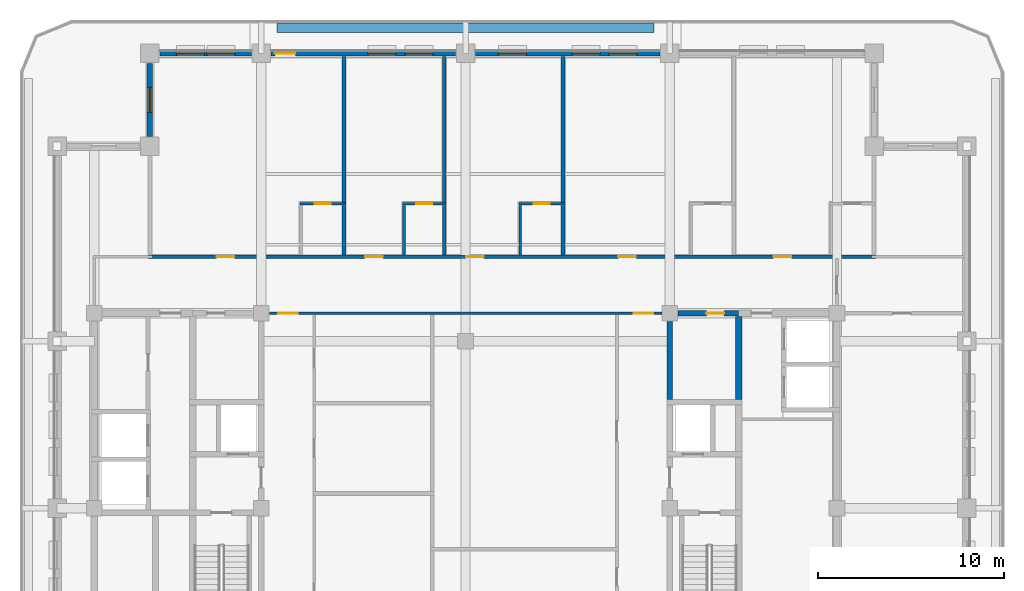
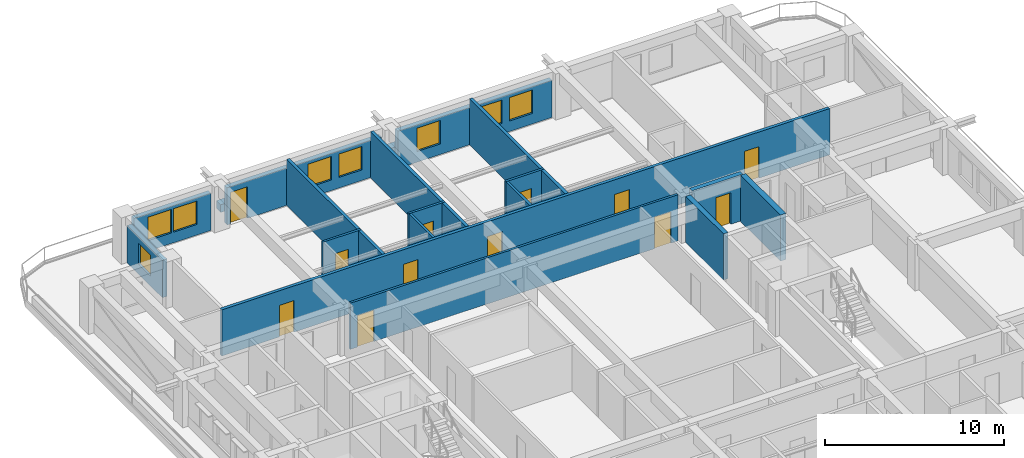
# One storey, part 6 of 14: 21 walls, 12 doors, 8 windows, 20 openings.
"""IFC4 building model written with IfcOpenShell, lengths in metres."""

from ifc_helpers import new_model, si_unit, direction, frame, frame_2d, origin, place, context, subcontext, project, spatial, rectangle, extrude, material, layer, layer_set, type_object, element, fill, save


model = new_model("IFC4")

# Units and contexts
model_context = context("Model", 3, precision=1e-05, world=origin(), true_north=direction((0.0, 1.0)))
body_context = subcontext(model_context, "Body", "Model", "MODEL_VIEW")
ifc_project = project(units=[si_unit("LENGTHUNIT", "METRE"), si_unit("AREAUNIT", "SQUARE_METRE"), si_unit("VOLUMEUNIT", "CUBIC_METRE"), si_unit("PLANEANGLEUNIT", "RADIAN"), si_unit("MASSUNIT", "GRAM", prefix="KILO")], contexts=[model_context])

# Site, building, storey
site_placement = place(None, origin())
site = spatial("IfcSite", under=ifc_project, at=site_placement, CompositionType="ELEMENT")
building_placement = place(site_placement, origin())
building = spatial("IfcBuilding", under=site, at=building_placement, Name="Zulmaris Gate Convention Tower", CompositionType="ELEMENT")
storey_placement = place(building_placement, frame((0.0, 0.0, 179.659912109375)))
storey = spatial("IfcBuildingStorey", under=building, at=storey_placement, Name="L46", CompositionType="ELEMENT", Elevation=179.659912109375)

# Wall, opening, door
ifc_material_1 = material(Name="Concrete C50/60", Category="concrete")
ifc_layer_1 = layer(ifc_material_1, 0.300048828125, Name="Concrete C50/60")
ifc_layer_set_1 = layer_set([ifc_layer_1], Name="Concrete C50/60")
wall_type_1 = type_object("IfcWallType", Name="CORE-300", PredefinedType="SHEAR", material=ifc_layer_set_1)
wall_1_placement = place(storey_placement, frame((11.428955078125, 10.5, 0.0), z_axis=(0.0, 0.0, 1.0), x_axis=(1.0, 0.0, 0.0)))
wall_1 = element("IfcWall", 1, at=wall_1_placement, inside=storey, type_object=wall_type_1, Name="WL-L46-017", PredefinedType="SHEAR", context=body_context, shape_type="SweptSolid", body=[
    extrude(rectangle(XDim=3.27099609375, YDim=0.300048828125, at=frame_2d((1.635498046875, 0.0))), origin(), (0.0, 0.0, 1.0), 3.14990234375),
])
opening_1_placement = place(wall_1_placement, frame((1.5458984375, 0.0, 0.0)))
opening_1 = element("IfcOpeningElement", 2, at=opening_1_placement, cuts=wall_1, Name="Opening D-11", PredefinedType="OPENING", context=body_context, shape_type="SweptSolid", body=[
    extrude(rectangle(XDim=0.949951171875, YDim=2.14990234375, at=frame_2d((0.47509765625, 1.074951171875))), frame((0.0, 0.16015625, 0.0), z_axis=(0.0, -1.0, 0.0), x_axis=(1.0, 0.0, 0.0)), (0.0, 0.0, 1.0), 0.320068359375),
])
ifc_material_2 = material(Name="Fire-Rated Timber", Category="wood")
door_type_1 = type_object("IfcDoorType", Name="DR-950-FD", OperationType="NOTDEFINED", PredefinedType="DOOR", material=ifc_material_2)
door_1_placement = place(opening_1_placement, origin())
door_1 = element("IfcDoor", 3, at=door_1_placement, inside=storey, type_object=door_type_1, Name="L46 Core Cleaners Store Door 08", OperationType="SINGLE_SWING_LEFT", OverallHeight=2.14990234375, OverallWidth=0.949951171875, PredefinedType="DOOR", context=body_context, shape_type="SweptSolid", body=[
    extrude(rectangle(XDim=0.949951171875, YDim=2.14990234375, at=frame_2d((0.47509765625, 1.074951171875))), frame((0.0, 0.02490234375, 0.0), z_axis=(0.0, -1.0, 0.0), x_axis=(1.0, 0.0, 0.0)), (0.0, 0.0, 1.0), 0.050048828125),
])
fill(opening_1, door_1)

# Walls
wall_2_placement = place(storey_placement, frame((11.0, 5.85205078125, 0.0), z_axis=(0.0, 0.0, 1.0), x_axis=(0.0, 1.0, 0.0)))
element("IfcWall", 4, at=wall_2_placement, inside=storey, type_object=wall_type_1, Name="WL-L46-063", PredefinedType="SHEAR", context=body_context, shape_type="SweptSolid", body=[
    extrude(rectangle(XDim=4.218994140625, YDim=0.300048828125, at=frame_2d((2.109375, 0.0))), origin(), (0.0, 0.0, 1.0), 3.14990234375),
])
ifc_material_3 = material(Name="Concrete C55/67", Category="concrete")
ifc_layer_2 = layer(ifc_material_3, 0.35009765625, Name="Concrete C55/67")
ifc_layer_set_2 = layer_set([ifc_layer_2], Name="Concrete C55/67")
wall_type_2 = type_object("IfcWallType", Name="CORE-350", PredefinedType="SHEAR", material=ifc_layer_set_2)
wall_3_placement = place(storey_placement, frame((14.699951171875, 5.85205078125, 0.0), z_axis=(0.0, 0.0, 1.0), x_axis=(0.0, 1.0, 0.0)))
element("IfcWall", 5, at=wall_3_placement, inside=storey, type_object=wall_type_2, Name="WL-L46-069", PredefinedType="SHEAR", context=body_context, shape_type="SweptSolid", body=[
    extrude(rectangle(XDim=4.470947265625, YDim=0.35009765625, at=frame_2d((2.2353515625, 0.0))), origin(), (0.0, 0.0, 1.0), 3.14990234375),
])

# Wall, openings, doors
ifc_material_4 = material(Name="Gypsum Metal Stud Partition")
ifc_layer_3 = layer(ifc_material_4, 0.14990234375, Name="Gypsum Metal Stud Partition")
ifc_layer_set_3 = layer_set([ifc_layer_3], Name="Gypsum Metal Stud Partition")
wall_type_3 = type_object("IfcWallType", Name="PART-150", PredefinedType="PARTITIONING", material=ifc_layer_set_3)
wall_4_placement = place(storey_placement, frame((-10.569091796875, 10.5, 0.0), z_axis=(0.0, 0.0, 1.0), x_axis=(1.0, 0.0, 0.0)))
wall_4 = element("IfcWall", 6, at=wall_4_placement, inside=storey, type_object=wall_type_3, Name="WL-L46-033", PredefinedType="PARTITIONING", context=body_context, shape_type="SweptSolid", body=[
    extrude(rectangle(XDim=21.13818359375, YDim=0.14990234375, at=frame_2d((10.569091796875, 0.0))), origin(), (0.0, 0.0, 1.0), 3.14990234375),
])
opening_2_placement = place(wall_4_placement, frame((0.47412109375, 0.0, 0.0)))
opening_2 = element("IfcOpeningElement", 7, at=opening_2_placement, cuts=wall_4, Name="Opening D-09", PredefinedType="OPENING", context=body_context, shape_type="SweptSolid", body=[
    extrude(rectangle(XDim=1.050048828125, YDim=2.14990234375, at=frame_2d((0.52490234375, 1.074951171875))), frame((0.0, 0.0849609375, 0.0), z_axis=(0.0, -1.0, 0.0), x_axis=(1.0, 0.0, 0.0)), (0.0, 0.0, 1.0), 0.169921875),
])
opening_3_placement = place(wall_4_placement, frame((19.614013671875, 0.0, 0.0)))
opening_3 = element("IfcOpeningElement", 8, at=opening_3_placement, cuts=wall_4, Name="Opening D-09", PredefinedType="OPENING", context=body_context, shape_type="SweptSolid", body=[
    extrude(rectangle(XDim=1.050048828125, YDim=2.14990234375, at=frame_2d((0.52490234375, 1.074951171875))), frame((0.0, 0.0849609375, 0.0), z_axis=(0.0, -1.0, 0.0), x_axis=(1.0, 0.0, 0.0)), (0.0, 0.0, 1.0), 0.169921875),
])
ifc_material_5 = material(Name="Fire-Rated Steel", Category="steel")
door_type_2 = type_object("IfcDoorType", Name="DR-1050-FD", OperationType="NOTDEFINED", PredefinedType="DOOR", material=ifc_material_5)
door_2_placement = place(opening_2_placement, origin())
door_2 = element("IfcDoor", 9, at=door_2_placement, inside=storey, type_object=door_type_2, Name="L46 NW Hotel Loop Door 18", OperationType="SINGLE_SWING_LEFT", OverallHeight=2.14990234375, OverallWidth=1.050048828125, PredefinedType="DOOR", context=body_context, shape_type="SweptSolid", body=[
    extrude(rectangle(XDim=1.050048828125, YDim=2.14990234375, at=frame_2d((0.52490234375, 1.074951171875))), frame((0.0, 0.02490234375, 0.0), z_axis=(0.0, -1.0, 0.0), x_axis=(1.0, 0.0, 0.0)), (0.0, 0.0, 1.0), 0.050048828125),
])
fill(opening_2, door_2)
door_3_placement = place(opening_3_placement, origin())
door_3 = element("IfcDoor", 10, at=door_3_placement, inside=storey, type_object=door_type_2, Name="L46 NE Hotel Loop Door 20", OperationType="SINGLE_SWING_LEFT", OverallHeight=2.14990234375, OverallWidth=1.050048828125, PredefinedType="DOOR", context=body_context, shape_type="SweptSolid", body=[
    extrude(rectangle(XDim=1.050048828125, YDim=2.14990234375, at=frame_2d((0.52490234375, 1.074951171875))), frame((0.0, 0.02490234375, 0.0), z_axis=(0.0, -1.0, 0.0), x_axis=(1.0, 0.0, 0.0)), (0.0, 0.0, 1.0), 0.050048828125),
])
fill(opening_3, door_3)

# Wall, opening, door
wall_5_placement = place(storey_placement, frame((-8.925048828125, 16.39990234375, 0.0), z_axis=(0.0, 0.0, 1.0), x_axis=(1.0, 0.0, 0.0)))
wall_5 = element("IfcWall", 11, at=wall_5_placement, inside=storey, type_object=wall_type_3, Name="WL-L46-038", PredefinedType="PARTITIONING", context=body_context, shape_type="SweptSolid", body=[
    extrude(rectangle(XDim=2.47509765625, YDim=0.14990234375, at=frame_2d((1.237548828125, 0.0))), origin(), (0.0, 0.0, 1.0), 3.14990234375),
])
opening_4_placement = place(wall_5_placement, frame((0.800048828125, 0.0, 0.0)))
opening_4 = element("IfcOpeningElement", 12, at=opening_4_placement, cuts=wall_5, Name="Opening D-17", PredefinedType="OPENING", context=body_context, shape_type="SweptSolid", body=[
    extrude(rectangle(XDim=0.85009765625, YDim=2.10009765625, at=frame_2d((0.425048828125, 1.050048828125))), frame((0.0, 0.0849609375, 0.0), z_axis=(0.0, -1.0, 0.0), x_axis=(1.0, 0.0, 0.0)), (0.0, 0.0, 1.0), 0.169921875),
])
ifc_material_6 = material(Name="Moisture-Resistant Hardwood Timber", Category="wood")
door_type_3 = type_object("IfcDoorType", Name="DR-850", OperationType="NOTDEFINED", PredefinedType="DOOR", material=ifc_material_6)
door_4_placement = place(opening_4_placement, origin())
door_4 = element("IfcDoor", 13, at=door_4_placement, inside=storey, type_object=door_type_3, Name="L46 En-Suite Door 23", OperationType="SINGLE_SWING_RIGHT", OverallHeight=2.10009765625, OverallWidth=0.85009765625, PredefinedType="DOOR", context=body_context, shape_type="SweptSolid", body=[
    extrude(rectangle(XDim=0.85009765625, YDim=2.10009765625, at=frame_2d((0.425048828125, 1.050048828125))), frame((0.0, 0.02490234375, 0.0), z_axis=(0.0, -1.0, 0.0), x_axis=(1.0, 0.0, 0.0)), (0.0, 0.0, 1.0), 0.050048828125),
])
fill(opening_4, door_4)

wall_6_placement = place(storey_placement, frame((-3.385009765625, 16.39990234375, 0.0), z_axis=(0.0, 0.0, 1.0), x_axis=(1.0, 0.0, 0.0)))
wall_6 = element("IfcWall", 14, at=wall_6_placement, inside=storey, type_object=wall_type_3, Name="WL-L46-039", PredefinedType="PARTITIONING", context=body_context, shape_type="SweptSolid", body=[
    extrude(rectangle(XDim=2.3349609375, YDim=0.14990234375, at=frame_2d((1.16748046875, 0.0))), origin(), (0.0, 0.0, 1.0), 3.14990234375),
])
opening_5_placement = place(wall_6_placement, frame((0.72998046875, 0.0, 0.0)))
opening_5 = element("IfcOpeningElement", 15, at=opening_5_placement, cuts=wall_6, Name="Opening D-17", PredefinedType="OPENING", context=body_context, shape_type="SweptSolid", body=[
    extrude(rectangle(XDim=0.85009765625, YDim=2.10009765625, at=frame_2d((0.425048828125, 1.050048828125))), frame((0.0, 0.0849609375, 0.0), z_axis=(0.0, -1.0, 0.0), x_axis=(1.0, 0.0, 0.0)), (0.0, 0.0, 1.0), 0.169921875),
])
door_5_placement = place(opening_5_placement, origin())
door_5 = element("IfcDoor", 16, at=door_5_placement, inside=storey, type_object=door_type_3, Name="L46 En-Suite Door 25", OperationType="SINGLE_SWING_RIGHT", OverallHeight=2.10009765625, OverallWidth=0.85009765625, PredefinedType="DOOR", context=body_context, shape_type="SweptSolid", body=[
    extrude(rectangle(XDim=0.85009765625, YDim=2.10009765625, at=frame_2d((0.425048828125, 1.050048828125))), frame((0.0, 0.02490234375, 0.0), z_axis=(0.0, -1.0, 0.0), x_axis=(1.0, 0.0, 0.0)), (0.0, 0.0, 1.0), 0.050048828125),
])
fill(opening_5, door_5)

wall_7_placement = place(storey_placement, frame((2.875, 16.39990234375, 0.0), z_axis=(0.0, 0.0, 1.0), x_axis=(1.0, 0.0, 0.0)))
wall_7 = element("IfcWall", 17, at=wall_7_placement, inside=storey, type_object=wall_type_3, Name="WL-L46-040", PredefinedType="PARTITIONING", context=body_context, shape_type="SweptSolid", body=[
    extrude(rectangle(XDim=2.47509765625, YDim=0.14990234375, at=frame_2d((1.237548828125, 0.0))), origin(), (0.0, 0.0, 1.0), 3.14990234375),
])
opening_6_placement = place(wall_7_placement, frame((0.800048828125, 0.0, 0.0)))
opening_6 = element("IfcOpeningElement", 18, at=opening_6_placement, cuts=wall_7, Name="Opening D-17", PredefinedType="OPENING", context=body_context, shape_type="SweptSolid", body=[
    extrude(rectangle(XDim=0.85009765625, YDim=2.10009765625, at=frame_2d((0.425048828125, 1.050048828125))), frame((0.0, 0.0849609375, 0.0), z_axis=(0.0, -1.0, 0.0), x_axis=(1.0, 0.0, 0.0)), (0.0, 0.0, 1.0), 0.169921875),
])
door_6_placement = place(opening_6_placement, origin())
door_6 = element("IfcDoor", 19, at=door_6_placement, inside=storey, type_object=door_type_3, Name="L46 En-Suite Door 27", OperationType="SINGLE_SWING_RIGHT", OverallHeight=2.10009765625, OverallWidth=0.85009765625, PredefinedType="DOOR", context=body_context, shape_type="SweptSolid", body=[
    extrude(rectangle(XDim=0.85009765625, YDim=2.10009765625, at=frame_2d((0.425048828125, 1.050048828125))), frame((0.0, 0.02490234375, 0.0), z_axis=(0.0, -1.0, 0.0), x_axis=(1.0, 0.0, 0.0)), (0.0, 0.0, 1.0), 0.050048828125),
])
fill(opening_6, door_6)

# Walls
for number, where, z_axis, x_axis, name in (
    (20, (-3.31005859375, 13.653076171875, 0.0), (0.0, 0.0, 1.0), (0.0, 1.0, 0.0), "WL-L46-089"),
    (21, (2.949951171875, 13.653076171875, 0.0), (0.0, 0.0, 1.0), (0.0, 1.0, 0.0), "WL-L46-100"),
):
    element("IfcWall", number, at=place(storey_placement, frame(where, z_axis=z_axis, x_axis=x_axis)), inside=storey, type_object=wall_type_3, Name=name, PredefinedType="PARTITIONING", context=body_context, shape_type="SweptSolid", body=[
        extrude(rectangle(XDim=2.6689453125, YDim=0.14990234375, at=frame_2d((1.33447265625, 0.0))), origin(), (0.0, 0.0, 1.0), 3.14990234375),
    ])

# Wall, openings, doors
ifc_material_7 = material(Name="Autoclaved Aerated Concrete Block and Plasterboard", Category="concrete")
ifc_layer_4 = layer(ifc_material_7, 0.199951171875, Name="Autoclaved Aerated Concrete Block and Plasterboard")
ifc_layer_set_4 = layer_set([ifc_layer_4], Name="Autoclaved Aerated Concrete Block and Plasterboard")
wall_type_4 = type_object("IfcWallType", Name="PART-200", PredefinedType="PARTITIONING", material=ifc_layer_set_4)
wall_8_placement = place(storey_placement, frame((-17.10009765625, 13.550048828125, 0.0), z_axis=(0.0, 0.0, 1.0), x_axis=(1.0, 0.0, 0.0)))
wall_8 = element("IfcWall", 22, at=wall_8_placement, inside=storey, type_object=wall_type_4, Name="WL-L46-036", PredefinedType="PARTITIONING", context=body_context, shape_type="SweptSolid", body=[
    extrude(rectangle(XDim=39.2001953125, YDim=0.199951171875, at=frame_2d((19.60009765625, 0.0))), origin(), (0.0, 0.0, 1.0), 3.14990234375),
])
opening_7_placement = place(wall_8_placement, frame((3.695068359375, 0.0, 0.0)))
opening_7 = element("IfcOpeningElement", 23, at=opening_7_placement, cuts=wall_8, Name="Opening D-11", PredefinedType="OPENING", context=body_context, shape_type="SweptSolid", body=[
    extrude(rectangle(XDim=0.949951171875, YDim=2.14990234375, at=frame_2d((0.47509765625, 1.074951171875))), frame((0.0, 0.10986328125, 0.0), z_axis=(0.0, -1.0, 0.0), x_axis=(1.0, 0.0, 0.0)), (0.0, 0.0, 1.0), 0.219970703125),
])
opening_8_placement = place(wall_8_placement, frame((11.695068359375, 0.0, 0.0)))
opening_8 = element("IfcOpeningElement", 24, at=opening_8_placement, cuts=wall_8, Name="Opening D-11", PredefinedType="OPENING", context=body_context, shape_type="SweptSolid", body=[
    extrude(rectangle(XDim=0.949951171875, YDim=2.14990234375, at=frame_2d((0.47509765625, 1.074951171875))), frame((0.0, 0.10986328125, 0.0), z_axis=(0.0, -1.0, 0.0), x_axis=(1.0, 0.0, 0.0)), (0.0, 0.0, 1.0), 0.219970703125),
])
opening_9_placement = place(wall_8_placement, frame((17.125, 0.0, 0.0)))
opening_9 = element("IfcOpeningElement", 25, at=opening_9_placement, cuts=wall_8, Name="Opening D-11", PredefinedType="OPENING", context=body_context, shape_type="SweptSolid", body=[
    extrude(rectangle(XDim=0.949951171875, YDim=2.14990234375, at=frame_2d((0.47509765625, 1.074951171875))), frame((0.0, 0.10986328125, 0.0), z_axis=(0.0, -1.0, 0.0), x_axis=(1.0, 0.0, 0.0)), (0.0, 0.0, 1.0), 0.219970703125),
])
opening_10_placement = place(wall_8_placement, frame((25.324951171875, 0.0, 0.0)))
opening_10 = element("IfcOpeningElement", 26, at=opening_10_placement, cuts=wall_8, Name="Opening D-11", PredefinedType="OPENING", context=body_context, shape_type="SweptSolid", body=[
    extrude(rectangle(XDim=0.949951171875, YDim=2.14990234375, at=frame_2d((0.47509765625, 1.074951171875))), frame((0.0, 0.10986328125, 0.0), z_axis=(0.0, -1.0, 0.0), x_axis=(1.0, 0.0, 0.0)), (0.0, 0.0, 1.0), 0.219970703125),
])
opening_11_placement = place(wall_8_placement, frame((33.695068359375, 0.0, 0.0)))
opening_11 = element("IfcOpeningElement", 27, at=opening_11_placement, cuts=wall_8, Name="Opening D-11", PredefinedType="OPENING", context=body_context, shape_type="SweptSolid", body=[
    extrude(rectangle(XDim=0.949951171875, YDim=2.14990234375, at=frame_2d((0.47509765625, 1.074951171875))), frame((0.0, 0.10986328125, 0.0), z_axis=(0.0, -1.0, 0.0), x_axis=(1.0, 0.0, 0.0)), (0.0, 0.0, 1.0), 0.219970703125),
])
door_7_placement = place(opening_7_placement, origin())
door_7 = element("IfcDoor", 28, at=door_7_placement, inside=storey, type_object=door_type_1, Name="L46 Hotel Diplomatic Suite Door 22", OperationType="SINGLE_SWING_LEFT", OverallHeight=2.14990234375, OverallWidth=0.949951171875, PredefinedType="DOOR", context=body_context, shape_type="SweptSolid", body=[
    extrude(rectangle(XDim=0.949951171875, YDim=2.14990234375, at=frame_2d((0.47509765625, 1.074951171875))), frame((0.0, 0.02490234375, 0.0), z_axis=(0.0, -1.0, 0.0), x_axis=(1.0, 0.0, 0.0)), (0.0, 0.0, 1.0), 0.050048828125),
])
fill(opening_7, door_7)
door_8_placement = place(opening_8_placement, origin())
door_8 = element("IfcDoor", 29, at=door_8_placement, inside=storey, type_object=door_type_1, Name="L46 Hotel Guest Room Door 24", OperationType="SINGLE_SWING_LEFT", OverallHeight=2.14990234375, OverallWidth=0.949951171875, PredefinedType="DOOR", context=body_context, shape_type="SweptSolid", body=[
    extrude(rectangle(XDim=0.949951171875, YDim=2.14990234375, at=frame_2d((0.47509765625, 1.074951171875))), frame((0.0, 0.02490234375, 0.0), z_axis=(0.0, -1.0, 0.0), x_axis=(1.0, 0.0, 0.0)), (0.0, 0.0, 1.0), 0.050048828125),
])
fill(opening_8, door_8)
door_9_placement = place(opening_9_placement, origin())
door_9 = element("IfcDoor", 30, at=door_9_placement, inside=storey, type_object=door_type_1, Name="L46 Hotel Diplomatic Suite Door 26", OperationType="SINGLE_SWING_LEFT", OverallHeight=2.14990234375, OverallWidth=0.949951171875, PredefinedType="DOOR", context=body_context, shape_type="SweptSolid", body=[
    extrude(rectangle(XDim=0.949951171875, YDim=2.14990234375, at=frame_2d((0.47509765625, 1.074951171875))), frame((0.0, 0.02490234375, 0.0), z_axis=(0.0, -1.0, 0.0), x_axis=(1.0, 0.0, 0.0)), (0.0, 0.0, 1.0), 0.050048828125),
])
fill(opening_9, door_9)
door_10_placement = place(opening_10_placement, origin())
door_10 = element("IfcDoor", 31, at=door_10_placement, inside=storey, type_object=door_type_1, Name="L46 Hotel Diplomatic Suite Door 28", OperationType="SINGLE_SWING_LEFT", OverallHeight=2.14990234375, OverallWidth=0.949951171875, PredefinedType="DOOR", context=body_context, shape_type="SweptSolid", body=[
    extrude(rectangle(XDim=0.949951171875, YDim=2.14990234375, at=frame_2d((0.47509765625, 1.074951171875))), frame((0.0, 0.02490234375, 0.0), z_axis=(0.0, -1.0, 0.0), x_axis=(1.0, 0.0, 0.0)), (0.0, 0.0, 1.0), 0.050048828125),
])
fill(opening_10, door_10)
door_11_placement = place(opening_11_placement, origin())
door_11 = element("IfcDoor", 32, at=door_11_placement, inside=storey, type_object=door_type_1, Name="L46 Hotel Diplomatic Suite Door 30", OperationType="SINGLE_SWING_LEFT", OverallHeight=2.14990234375, OverallWidth=0.949951171875, PredefinedType="DOOR", context=body_context, shape_type="SweptSolid", body=[
    extrude(rectangle(XDim=0.949951171875, YDim=2.14990234375, at=frame_2d((0.47509765625, 1.074951171875))), frame((0.0, 0.02490234375, 0.0), z_axis=(0.0, -1.0, 0.0), x_axis=(1.0, 0.0, 0.0)), (0.0, 0.0, 1.0), 0.050048828125),
])
fill(opening_11, door_11)

# Walls
wall_9_placement = place(storey_placement, frame((-6.550048828125, 13.653076171875, 0.0), z_axis=(0.0, 0.0, 1.0), x_axis=(0.0, 1.0, 0.0)))
element("IfcWall", 33, at=wall_9_placement, inside=storey, type_object=wall_type_4, Name="WL-L46-085", PredefinedType="PARTITIONING", context=body_context, shape_type="SweptSolid", body=[
    extrude(rectangle(XDim=2.6689453125, YDim=0.199951171875, at=frame_2d((1.33447265625, 0.0))), origin(), (0.0, 0.0, 1.0), 3.14990234375),
])
wall_10_placement = place(storey_placement, frame((-6.550048828125, 16.47802734375, 0.0), z_axis=(0.0, 0.0, 1.0), x_axis=(0.0, 1.0, 0.0)))
element("IfcWall", 34, at=wall_10_placement, inside=storey, type_object=wall_type_4, Name="WL-L46-086", PredefinedType="PARTITIONING", context=body_context, shape_type="SweptSolid", body=[
    extrude(rectangle(XDim=7.85693359375, YDim=0.199951171875, at=frame_2d((3.928466796875, 0.0))), origin(), (0.0, 0.0, 1.0), 3.14990234375),
])
wall_11_placement = place(storey_placement, frame((-1.14990234375, 13.653076171875, 0.0), z_axis=(0.0, 0.0, 1.0), x_axis=(0.0, 1.0, 0.0)))
element("IfcWall", 35, at=wall_11_placement, inside=storey, type_object=wall_type_4, Name="WL-L46-095", PredefinedType="PARTITIONING", context=body_context, shape_type="SweptSolid", body=[
    extrude(rectangle(XDim=2.6689453125, YDim=0.199951171875, at=frame_2d((1.33447265625, 0.0))), origin(), (0.0, 0.0, 1.0), 3.14990234375),
])
wall_12_placement = place(storey_placement, frame((-1.14990234375, 16.47802734375, 0.0), z_axis=(0.0, 0.0, 1.0), x_axis=(0.0, 1.0, 0.0)))
element("IfcWall", 36, at=wall_12_placement, inside=storey, type_object=wall_type_4, Name="WL-L46-096", PredefinedType="PARTITIONING", context=body_context, shape_type="SweptSolid", body=[
    extrude(rectangle(XDim=7.85693359375, YDim=0.199951171875, at=frame_2d((3.928466796875, 0.0))), origin(), (0.0, 0.0, 1.0), 3.14990234375),
])
wall_13_placement = place(storey_placement, frame((5.25, 13.653076171875, 0.0), z_axis=(0.0, 0.0, 1.0), x_axis=(0.0, 1.0, 0.0)))
element("IfcWall", 37, at=wall_13_placement, inside=storey, type_object=wall_type_4, Name="WL-L46-102", PredefinedType="PARTITIONING", context=body_context, shape_type="SweptSolid", body=[
    extrude(rectangle(XDim=2.6689453125, YDim=0.199951171875, at=frame_2d((1.33447265625, 0.0))), origin(), (0.0, 0.0, 1.0), 3.14990234375),
])
wall_14_placement = place(storey_placement, frame((5.25, 16.47802734375, 0.0), z_axis=(0.0, 0.0, 1.0), x_axis=(0.0, 1.0, 0.0)))
element("IfcWall", 38, at=wall_14_placement, inside=storey, type_object=wall_type_4, Name="WL-L46-103", PredefinedType="PARTITIONING", context=body_context, shape_type="SweptSolid", body=[
    extrude(rectangle(XDim=7.85693359375, YDim=0.199951171875, at=frame_2d((3.928466796875, 0.0))), origin(), (0.0, 0.0, 1.0), 3.14990234375),
])
ifc_material_8 = material(Name="Botanical Green Glazed Precast Concrete C40/50", Category="concrete")
ifc_layer_5 = layer(ifc_material_8, 0.419921875, Name="Botanical Green Glazed Precast Concrete C40/50")
ifc_layer_set_5 = layer_set([ifc_layer_5], Name="Botanical Green Glazed Precast Concrete C40/50")
wall_type_5 = type_object("IfcWallType", Name="PLANTER-CURB-200", PredefinedType="PARAPET", material=ifc_layer_set_5)
wall_15_placement = place(storey_placement, frame((-10.14990234375, 25.8798828125, -0.0400390625), z_axis=(0.0, 0.0, 1.0), x_axis=(1.0, 0.0, 0.0)))
element("IfcWall", 39, at=wall_15_placement, inside=storey, type_object=wall_type_5, Name="L46 Full-Length Balcony Tree Planter Trough", PredefinedType="PARAPET", context=body_context, shape_type="SweptSolid", body=[
    extrude(rectangle(XDim=20.2998046875, YDim=0.47998046875, at=frame_2d((10.14990234375, 0.0))), origin(), (0.0, 0.0, 1.0), 0.52001953125),
])

# Wall, opening, window
ifc_material_9 = material(Name="Precast concrete C40/50", Category="concrete")
ifc_layer_6 = layer(ifc_material_9, 0.300048828125, Name="Precast concrete C40/50")
ifc_layer_set_6 = layer_set([ifc_layer_6], Name="Precast concrete C40/50")
wall_type_6 = type_object("IfcWallType", Name="PRECAST-PIER-300", PredefinedType="STANDARD", material=ifc_layer_set_6)
wall_16_placement = place(storey_placement, frame((-17.0, 23.969970703125, 0.0), z_axis=(0.0, 0.0, 1.0), x_axis=(0.0, -1.0, 0.0)))
wall_16 = element("IfcWall", 40, at=wall_16_placement, inside=storey, type_object=wall_type_6, Name="EW-L46-NOTCH-NW1_0", PredefinedType="STANDARD", context=body_context, shape_type="SweptSolid", body=[
    extrude(rectangle(XDim=3.93994140625, YDim=0.300048828125, at=frame_2d((1.969970703125, 0.0))), origin(), (0.0, 0.0, 1.0), 2.5419921875),
])
opening_12_placement = place(wall_16_placement, frame((1.294921875, 0.0, 0.679931640625)))
opening_12 = element("IfcOpeningElement", 41, at=opening_12_placement, cuts=wall_16, Name="Opening W-10", PredefinedType="OPENING", context=body_context, shape_type="SweptSolid", body=[
    extrude(rectangle(XDim=1.35009765625, YDim=1.419921875, at=frame_2d((0.675048828125, 0.7099609375))), frame((0.0, 0.16015625, 0.0), z_axis=(0.0, -1.0, 0.0), x_axis=(1.0, 0.0, 0.0)), (0.0, 0.0, 1.0), 0.320068359375),
])
ifc_material_10 = material(Name="Low-E Laminated Double Glazing in Aluminium Frame", Category="aluminium")
window_type_1 = type_object("IfcWindowType", Name="WIN-1350x2000", PartitioningType="SINGLE_PANEL", PredefinedType="WINDOW", material=ifc_material_10)
window_1_placement = place(opening_12_placement, origin())
window_1 = element("IfcWindow", 42, at=window_1_placement, inside=storey, type_object=window_type_1, Name="WN-EW-L46-NOTCH-NW1_0", OverallHeight=1.419921875, OverallWidth=1.35009765625, PartitioningType="SINGLE_PANEL", PredefinedType="WINDOW", context=body_context, shape_type="SweptSolid", body=[
    extrude(rectangle(XDim=1.35009765625, YDim=1.419921875, at=frame_2d((0.675048828125, 0.7099609375))), frame((0.0, 0.030029296875, 0.0), z_axis=(0.0, -1.0, 0.0), x_axis=(1.0, 0.0, 0.0)), (0.0, 0.0, 1.0), 0.06005859375),
])
fill(opening_12, window_1)

# Wall, openings, windows
wall_17_placement = place(storey_placement, frame((-11.530029296875, 24.5, 0.0), z_axis=(0.0, 0.0, 1.0), x_axis=(-1.0, 0.0, 0.0)))
wall_17 = element("IfcWall", 43, at=wall_17_placement, inside=storey, type_object=wall_type_6, Name="EW-L46-N-0_0", PredefinedType="STANDARD", context=body_context, shape_type="SweptSolid", body=[
    extrude(rectangle(XDim=4.93994140625, YDim=0.300048828125, at=frame_2d((2.469970703125, 0.0))), origin(), (0.0, 0.0, 1.0), 2.5419921875),
])
opening_13_placement = place(wall_17_placement, frame((0.89697265625, 0.0, 0.719970703125)))
opening_13 = element("IfcOpeningElement", 44, at=opening_13_placement, cuts=wall_17, Name="Opening W-03", PredefinedType="OPENING", context=body_context, shape_type="SweptSolid", body=[
    extrude(rectangle(XDim=1.5, YDim=1.60009765625, at=frame_2d((0.75, 0.800048828125))), frame((0.0, 0.16015625, 0.0), z_axis=(0.0, -1.0, 0.0), x_axis=(1.0, 0.0, 0.0)), (0.0, 0.0, 1.0), 0.320068359375),
])
opening_14_placement = place(wall_17_placement, frame((2.54296875, 0.0, 0.719970703125)))
opening_14 = element("IfcOpeningElement", 45, at=opening_14_placement, cuts=wall_17, Name="Opening W-03", PredefinedType="OPENING", context=body_context, shape_type="SweptSolid", body=[
    extrude(rectangle(XDim=1.5, YDim=1.60009765625, at=frame_2d((0.75, 0.800048828125))), frame((0.0, 0.16015625, 0.0), z_axis=(0.0, -1.0, 0.0), x_axis=(1.0, 0.0, 0.0)), (0.0, 0.0, 1.0), 0.320068359375),
])
window_type_2 = type_object("IfcWindowType", Name="WIN-1500x2100", PartitioningType="SINGLE_PANEL", PredefinedType="WINDOW", material=ifc_material_10)
window_2_placement = place(opening_13_placement, origin())
window_2 = element("IfcWindow", 46, at=window_2_placement, inside=storey, type_object=window_type_2, Name="WN-EW-L46-N-0_0-1", OverallHeight=1.60009765625, OverallWidth=1.5, PartitioningType="SINGLE_PANEL", PredefinedType="WINDOW", context=body_context, shape_type="SweptSolid", body=[
    extrude(rectangle(XDim=1.5, YDim=1.60009765625, at=frame_2d((0.75, 0.800048828125))), frame((0.0, 0.030029296875, 0.0), z_axis=(0.0, -1.0, 0.0), x_axis=(1.0, 0.0, 0.0)), (0.0, 0.0, 1.0), 0.06005859375),
])
fill(opening_13, window_2)
window_3_placement = place(opening_14_placement, origin())
window_3 = element("IfcWindow", 47, at=window_3_placement, inside=storey, type_object=window_type_2, Name="WN-EW-L46-N-0_0-2", OverallHeight=1.60009765625, OverallWidth=1.5, PartitioningType="SINGLE_PANEL", PredefinedType="WINDOW", context=body_context, shape_type="SweptSolid", body=[
    extrude(rectangle(XDim=1.5, YDim=1.60009765625, at=frame_2d((0.75, 0.800048828125))), frame((0.0, 0.030029296875, 0.0), z_axis=(0.0, -1.0, 0.0), x_axis=(1.0, 0.0, 0.0)), (0.0, 0.0, 1.0), 0.06005859375),
])
fill(opening_14, window_3)

# Wall, openings, door, windows
wall_18_placement = place(storey_placement, frame((-0.530029296875, 24.5, 0.0), z_axis=(0.0, 0.0, 1.0), x_axis=(-1.0, 0.0, 0.0)))
wall_18 = element("IfcWall", 48, at=wall_18_placement, inside=storey, type_object=wall_type_6, Name="EW-L46-N-1_0", PredefinedType="STANDARD", context=body_context, shape_type="SweptSolid", body=[
    extrude(rectangle(XDim=9.93994140625, YDim=0.300048828125, at=frame_2d((4.969970703125, 0.0))), origin(), (0.0, 0.0, 1.0), 2.5419921875),
])
opening_15_placement = place(wall_18_placement, frame((8.639892578125, 0.0, 0.0)))
opening_15 = element("IfcOpeningElement", 49, at=opening_15_placement, cuts=wall_18, Name="Opening D-04", PredefinedType="OPENING", context=body_context, shape_type="SweptSolid", body=[
    extrude(rectangle(XDim=1.10009765625, YDim=2.14990234375, at=frame_2d((0.550048828125, 1.074951171875))), frame((0.0, 0.16015625, 0.0), z_axis=(0.0, -1.0, 0.0), x_axis=(1.0, 0.0, 0.0)), (0.0, 0.0, 1.0), 0.320068359375),
])
opening_16_placement = place(wall_18_placement, frame((1.238037109375, 0.0, 0.719970703125)))
opening_16 = element("IfcOpeningElement", 50, at=opening_16_placement, cuts=wall_18, Name="Opening W-03", PredefinedType="OPENING", context=body_context, shape_type="SweptSolid", body=[
    extrude(rectangle(XDim=1.5, YDim=1.60009765625, at=frame_2d((0.75, 0.800048828125))), frame((0.0, 0.16015625, 0.0), z_axis=(0.0, -1.0, 0.0), x_axis=(1.0, 0.0, 0.0)), (0.0, 0.0, 1.0), 0.320068359375),
])
opening_17_placement = place(wall_18_placement, frame((3.22607421875, 0.0, 0.719970703125)))
opening_17 = element("IfcOpeningElement", 51, at=opening_17_placement, cuts=wall_18, Name="Opening W-03", PredefinedType="OPENING", context=body_context, shape_type="SweptSolid", body=[
    extrude(rectangle(XDim=1.5, YDim=1.60009765625, at=frame_2d((0.75, 0.800048828125))), frame((0.0, 0.16015625, 0.0), z_axis=(0.0, -1.0, 0.0), x_axis=(1.0, 0.0, 0.0)), (0.0, 0.0, 1.0), 0.320068359375),
])
ifc_material_11 = material(Name="Anodised Aluminium and Laminated Glass", Category="aluminium")
door_type_4 = type_object("IfcDoorType", Name="ED-1100", OperationType="SINGLE_SWING_RIGHT", PredefinedType="DOOR", material=ifc_material_11)
door_12_placement = place(opening_15_placement, origin())
door_12 = element("IfcDoor", 52, at=door_12_placement, inside=storey, type_object=door_type_4, Name="L46 N Planted Terrace Door", OperationType="SINGLE_SWING_LEFT", OverallHeight=2.14990234375, OverallWidth=1.10009765625, PredefinedType="DOOR", context=body_context, shape_type="SweptSolid", body=[
    extrude(rectangle(XDim=1.10009765625, YDim=2.14990234375, at=frame_2d((0.550048828125, 1.074951171875))), frame((0.0, 0.02490234375, 0.0), z_axis=(0.0, -1.0, 0.0), x_axis=(1.0, 0.0, 0.0)), (0.0, 0.0, 1.0), 0.050048828125),
])
fill(opening_15, door_12)
window_4_placement = place(opening_16_placement, origin())
window_4 = element("IfcWindow", 53, at=window_4_placement, inside=storey, type_object=window_type_2, Name="WN-EW-L46-N-1_0-1", OverallHeight=1.60009765625, OverallWidth=1.5, PartitioningType="SINGLE_PANEL", PredefinedType="WINDOW", context=body_context, shape_type="SweptSolid", body=[
    extrude(rectangle(XDim=1.5, YDim=1.60009765625, at=frame_2d((0.75, 0.800048828125))), frame((0.0, 0.030029296875, 0.0), z_axis=(0.0, -1.0, 0.0), x_axis=(1.0, 0.0, 0.0)), (0.0, 0.0, 1.0), 0.06005859375),
])
fill(opening_16, window_4)
window_5_placement = place(opening_17_placement, origin())
window_5 = element("IfcWindow", 54, at=window_5_placement, inside=storey, type_object=window_type_2, Name="WN-EW-L46-N-1_0-2", OverallHeight=1.60009765625, OverallWidth=1.5, PartitioningType="SINGLE_PANEL", PredefinedType="WINDOW", context=body_context, shape_type="SweptSolid", body=[
    extrude(rectangle(XDim=1.5, YDim=1.60009765625, at=frame_2d((0.75, 0.800048828125))), frame((0.0, 0.030029296875, 0.0), z_axis=(0.0, -1.0, 0.0), x_axis=(1.0, 0.0, 0.0)), (0.0, 0.0, 1.0), 0.06005859375),
])
fill(opening_17, window_5)

# Wall, openings, windows
wall_19_placement = place(storey_placement, frame((10.469970703125, 24.5, 0.0), z_axis=(0.0, 0.0, 1.0), x_axis=(-1.0, 0.0, 0.0)))
wall_19 = element("IfcWall", 55, at=wall_19_placement, inside=storey, type_object=wall_type_6, Name="EW-L46-N-2_0", PredefinedType="STANDARD", context=body_context, shape_type="SweptSolid", body=[
    extrude(rectangle(XDim=9.93994140625, YDim=0.300048828125, at=frame_2d((4.969970703125, 0.0))), origin(), (0.0, 0.0, 1.0), 2.5419921875),
])
opening_18_placement = place(wall_19_placement, frame((1.238037109375, 0.0, 0.719970703125)))
opening_18 = element("IfcOpeningElement", 56, at=opening_18_placement, cuts=wall_19, Name="Opening W-03", PredefinedType="OPENING", context=body_context, shape_type="SweptSolid", body=[
    extrude(rectangle(XDim=1.5, YDim=1.60009765625, at=frame_2d((0.75, 0.800048828125))), frame((0.0, 0.16015625, 0.0), z_axis=(0.0, -1.0, 0.0), x_axis=(1.0, 0.0, 0.0)), (0.0, 0.0, 1.0), 0.320068359375),
])
opening_19_placement = place(wall_19_placement, frame((3.22607421875, 0.0, 0.719970703125)))
opening_19 = element("IfcOpeningElement", 57, at=opening_19_placement, cuts=wall_19, Name="Opening W-03", PredefinedType="OPENING", context=body_context, shape_type="SweptSolid", body=[
    extrude(rectangle(XDim=1.5, YDim=1.60009765625, at=frame_2d((0.75, 0.800048828125))), frame((0.0, 0.16015625, 0.0), z_axis=(0.0, -1.0, 0.0), x_axis=(1.0, 0.0, 0.0)), (0.0, 0.0, 1.0), 0.320068359375),
])
opening_20_placement = place(wall_19_placement, frame((7.201904296875, 0.0, 0.719970703125)))
opening_20 = element("IfcOpeningElement", 58, at=opening_20_placement, cuts=wall_19, Name="Opening W-03", PredefinedType="OPENING", context=body_context, shape_type="SweptSolid", body=[
    extrude(rectangle(XDim=1.5, YDim=1.60009765625, at=frame_2d((0.75, 0.800048828125))), frame((0.0, 0.16015625, 0.0), z_axis=(0.0, -1.0, 0.0), x_axis=(1.0, 0.0, 0.0)), (0.0, 0.0, 1.0), 0.320068359375),
])
window_6_placement = place(opening_18_placement, origin())
window_6 = element("IfcWindow", 59, at=window_6_placement, inside=storey, type_object=window_type_2, Name="WN-EW-L46-N-2_0-1", OverallHeight=1.60009765625, OverallWidth=1.5, PartitioningType="SINGLE_PANEL", PredefinedType="WINDOW", context=body_context, shape_type="SweptSolid", body=[
    extrude(rectangle(XDim=1.5, YDim=1.60009765625, at=frame_2d((0.75, 0.800048828125))), frame((0.0, 0.030029296875, 0.0), z_axis=(0.0, -1.0, 0.0), x_axis=(1.0, 0.0, 0.0)), (0.0, 0.0, 1.0), 0.06005859375),
])
fill(opening_18, window_6)
window_7_placement = place(opening_19_placement, origin())
window_7 = element("IfcWindow", 60, at=window_7_placement, inside=storey, type_object=window_type_2, Name="WN-EW-L46-N-2_0-2", OverallHeight=1.60009765625, OverallWidth=1.5, PartitioningType="SINGLE_PANEL", PredefinedType="WINDOW", context=body_context, shape_type="SweptSolid", body=[
    extrude(rectangle(XDim=1.5, YDim=1.60009765625, at=frame_2d((0.75, 0.800048828125))), frame((0.0, 0.030029296875, 0.0), z_axis=(0.0, -1.0, 0.0), x_axis=(1.0, 0.0, 0.0)), (0.0, 0.0, 1.0), 0.06005859375),
])
fill(opening_19, window_7)
window_8_placement = place(opening_20_placement, origin())
window_8 = element("IfcWindow", 61, at=window_8_placement, inside=storey, type_object=window_type_2, Name="WN-EW-L46-N-2_0-4", OverallHeight=1.60009765625, OverallWidth=1.5, PartitioningType="SINGLE_PANEL", PredefinedType="WINDOW", context=body_context, shape_type="SweptSolid", body=[
    extrude(rectangle(XDim=1.5, YDim=1.60009765625, at=frame_2d((0.75, 0.800048828125))), frame((0.0, 0.030029296875, 0.0), z_axis=(0.0, -1.0, 0.0), x_axis=(1.0, 0.0, 0.0)), (0.0, 0.0, 1.0), 0.06005859375),
])
fill(opening_20, window_8)

save(model, "model.ifc")
